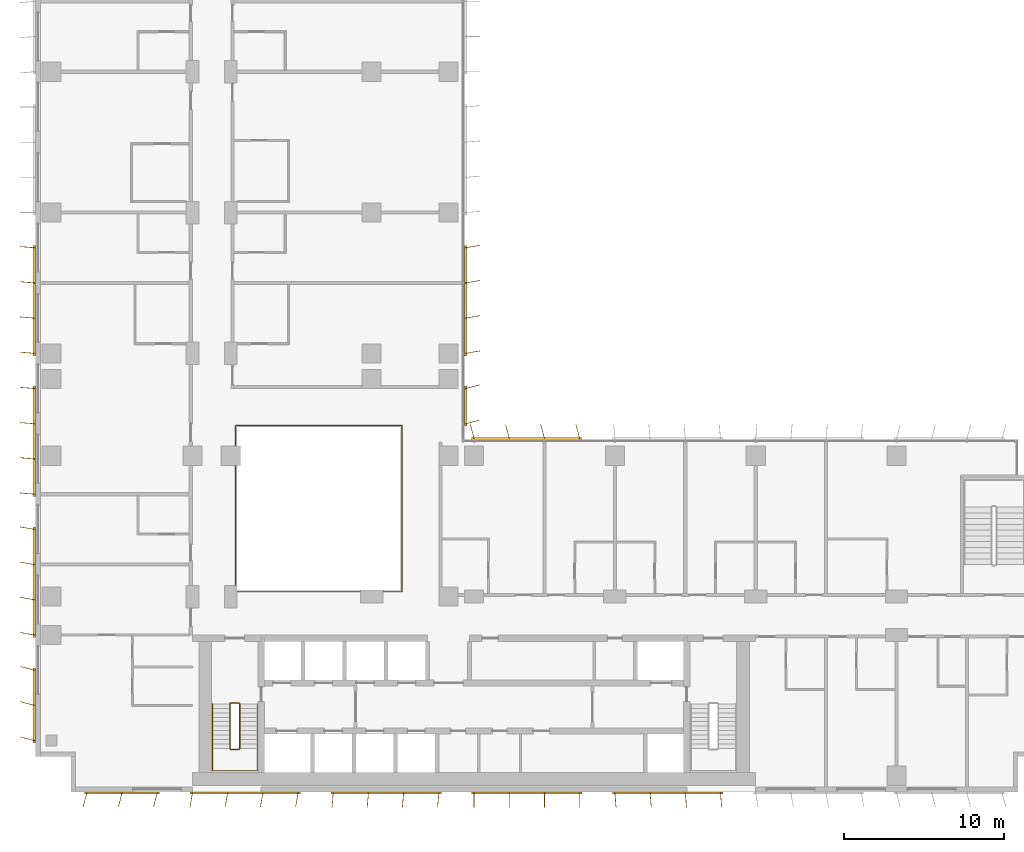
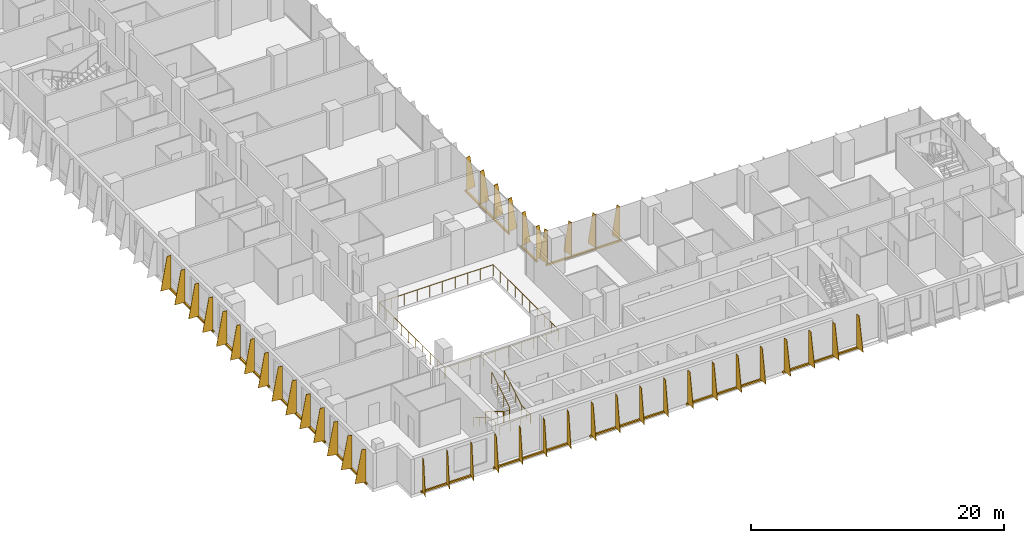
# One storey, part 20 of 23: 12 shading devices, 3 railings.
"""IFC4 building model written with IfcOpenShell, lengths in metres."""

from ifc_helpers import new_model, si_unit, direction, frame, origin, origin_2d, place, context, subcontext, project, spatial, polyline, rectangle, circle, outline, extrude, source, transform, mapped, material, layer, layer_set, type_object, element, save


model = new_model("IFC4")

# Units and contexts
model_context = context("Model", 3, precision=1e-05, world=origin(), true_north=direction((0.0, 1.0)))
body_context = subcontext(model_context, "Body", "Model", "MODEL_VIEW")
ifc_project = project(units=[si_unit("LENGTHUNIT", "METRE"), si_unit("AREAUNIT", "SQUARE_METRE"), si_unit("VOLUMEUNIT", "CUBIC_METRE"), si_unit("PLANEANGLEUNIT", "RADIAN"), si_unit("MASSUNIT", "GRAM", prefix="KILO")], contexts=[model_context])

# Site, building, storey
site_placement = place(None, origin())
site = spatial("IfcSite", under=ifc_project, at=site_placement, CompositionType="ELEMENT")
building_placement = place(site_placement, origin())
building = spatial("IfcBuilding", under=site, at=building_placement, Name="Kemantara Hotel Tower", CompositionType="ELEMENT")
storey_placement = place(building_placement, frame((0.0, 0.0, 118.5)))
storey = spatial("IfcBuildingStorey", under=building, at=storey_placement, Name="L28", CompositionType="ELEMENT", Elevation=118.5)

# Railings
ifc_material_1 = material(Name="Stainless steel and laminated glass balustrade", Category="steel")
railing_type_1 = type_object("IfcRailingType", Name="ATRIUM GUARD 1100", PredefinedType="GUARDRAIL", material=ifc_material_1)
railing_1_placement = place(storey_placement, frame((12.56005859375, 12.5, 0.0)))
element("IfcRailing", 1, at=railing_1_placement, inside=storey, type_object=railing_type_1, Name="ATRIUM GUARD L28", PredefinedType="GUARDRAIL", context=body_context, shape_type="SweptSolid", body=[
    extrude(circle(Radius=0.02490234375, at=origin_2d()), frame((0.0, 0.0, 1.0751953125), z_axis=(1.0, 0.0, 0.0), x_axis=(0.0, 1.0, 0.0)), (0.0, 0.0, 1.0), 10.33984375),
    extrude(circle(Radius=0.02490234375, at=origin_2d()), frame((10.33984375, 0.0, 1.0751953125), z_axis=(0.0, 1.0, 0.0), x_axis=(-1.0, 0.0, 0.0)), (0.0, 0.0, 1.0), 10.39990234375),
    extrude(circle(Radius=0.02490234375, at=origin_2d()), frame((10.33984375, 10.39990234375, 1.0751953125), z_axis=(-1.0, 0.0, 0.0), x_axis=(0.0, -1.0, 0.0)), (0.0, 0.0, 1.0), 10.39990234375),
    extrude(circle(Radius=0.02490234375, at=origin_2d()), frame((-0.06005859375, 10.39990234375, 1.0751953125), z_axis=(0.0, -1.0, 0.0), x_axis=(1.0, 0.0, 0.0)), (0.0, 0.0, 1.0), 10.39990234375),
    extrude(circle(Radius=0.02001953125, at=origin_2d()), origin(), (0.0, 0.0, 1.0), 1.050048828125),
    extrude(circle(Radius=0.02001953125, at=origin_2d()), frame((1.14892578125, 0.0, 0.0)), (0.0, 0.0, 1.0), 1.050048828125),
    extrude(circle(Radius=0.02001953125, at=origin_2d()), frame((2.2978515625, 0.0, 0.0)), (0.0, 0.0, 1.0), 1.050048828125),
    extrude(circle(Radius=0.02001953125, at=origin_2d()), frame((3.446533203125, 0.0, 0.0)), (0.0, 0.0, 1.0), 1.050048828125),
    extrude(circle(Radius=0.02001953125, at=origin_2d()), frame((4.595458984375, 0.0, 0.0)), (0.0, 0.0, 1.0), 1.050048828125),
    extrude(circle(Radius=0.02001953125, at=origin_2d()), frame((5.744384765625, 0.0, 0.0)), (0.0, 0.0, 1.0), 1.050048828125),
    extrude(circle(Radius=0.02001953125, at=origin_2d()), frame((6.893310546875, 0.0, 0.0)), (0.0, 0.0, 1.0), 1.050048828125),
    extrude(circle(Radius=0.02001953125, at=origin_2d()), frame((8.0419921875, 0.0, 0.0)), (0.0, 0.0, 1.0), 1.050048828125),
    extrude(circle(Radius=0.02001953125, at=origin_2d()), frame((9.19091796875, 0.0, 0.0)), (0.0, 0.0, 1.0), 1.050048828125),
    extrude(circle(Radius=0.02001953125, at=origin_2d()), frame((10.33984375, 0.0, 0.0)), (0.0, 0.0, 1.0), 1.050048828125),
    extrude(circle(Radius=0.02001953125, at=origin_2d()), frame((10.33984375, 1.155517578125, 0.0)), (0.0, 0.0, 1.0), 1.050048828125),
    extrude(circle(Radius=0.02001953125, at=origin_2d()), frame((10.33984375, 2.31103515625, 0.0)), (0.0, 0.0, 1.0), 1.050048828125),
    extrude(circle(Radius=0.02001953125, at=origin_2d()), frame((10.33984375, 3.466552734375, 0.0)), (0.0, 0.0, 1.0), 1.050048828125),
    extrude(circle(Radius=0.02001953125, at=origin_2d()), frame((10.33984375, 4.6220703125, 0.0)), (0.0, 0.0, 1.0), 1.050048828125),
    extrude(circle(Radius=0.02001953125, at=origin_2d()), frame((10.33984375, 5.77783203125, 0.0)), (0.0, 0.0, 1.0), 1.050048828125),
    extrude(circle(Radius=0.02001953125, at=origin_2d()), frame((10.33984375, 6.933349609375, 0.0)), (0.0, 0.0, 1.0), 1.050048828125),
    extrude(circle(Radius=0.02001953125, at=origin_2d()), frame((10.33984375, 8.0888671875, 0.0)), (0.0, 0.0, 1.0), 1.050048828125),
    extrude(circle(Radius=0.02001953125, at=origin_2d()), frame((10.33984375, 9.244384765625, 0.0)), (0.0, 0.0, 1.0), 1.050048828125),
    extrude(circle(Radius=0.02001953125, at=origin_2d()), frame((10.33984375, 10.39990234375, 0.0)), (0.0, 0.0, 1.0), 1.050048828125),
    extrude(circle(Radius=0.02001953125, at=origin_2d()), frame((9.184326171875, 10.39990234375, 0.0)), (0.0, 0.0, 1.0), 1.050048828125),
    extrude(circle(Radius=0.02001953125, at=origin_2d()), frame((8.02880859375, 10.39990234375, 0.0)), (0.0, 0.0, 1.0), 1.050048828125),
    extrude(circle(Radius=0.02001953125, at=origin_2d()), frame((6.873291015625, 10.39990234375, 0.0)), (0.0, 0.0, 1.0), 1.050048828125),
    extrude(circle(Radius=0.02001953125, at=origin_2d()), frame((5.7177734375, 10.39990234375, 0.0)), (0.0, 0.0, 1.0), 1.050048828125),
    extrude(circle(Radius=0.02001953125, at=origin_2d()), frame((4.56201171875, 10.39990234375, 0.0)), (0.0, 0.0, 1.0), 1.050048828125),
    extrude(circle(Radius=0.02001953125, at=origin_2d()), frame((3.406494140625, 10.39990234375, 0.0)), (0.0, 0.0, 1.0), 1.050048828125),
    extrude(circle(Radius=0.02001953125, at=origin_2d()), frame((2.2509765625, 10.39990234375, 0.0)), (0.0, 0.0, 1.0), 1.050048828125),
    extrude(circle(Radius=0.02001953125, at=origin_2d()), frame((1.095458984375, 10.39990234375, 0.0)), (0.0, 0.0, 1.0), 1.050048828125),
    extrude(circle(Radius=0.02001953125, at=origin_2d()), frame((-0.06005859375, 10.39990234375, 0.0)), (0.0, 0.0, 1.0), 1.050048828125),
    extrude(circle(Radius=0.02001953125, at=origin_2d()), frame((-0.06005859375, 9.244384765625, 0.0)), (0.0, 0.0, 1.0), 1.050048828125),
    extrude(circle(Radius=0.02001953125, at=origin_2d()), frame((-0.06005859375, 8.0888671875, 0.0)), (0.0, 0.0, 1.0), 1.050048828125),
    extrude(circle(Radius=0.02001953125, at=origin_2d()), frame((-0.06005859375, 6.933349609375, 0.0)), (0.0, 0.0, 1.0), 1.050048828125),
    extrude(circle(Radius=0.02001953125, at=origin_2d()), frame((-0.06005859375, 5.77783203125, 0.0)), (0.0, 0.0, 1.0), 1.050048828125),
    extrude(circle(Radius=0.02001953125, at=origin_2d()), frame((-0.06005859375, 4.6220703125, 0.0)), (0.0, 0.0, 1.0), 1.050048828125),
    extrude(circle(Radius=0.02001953125, at=origin_2d()), frame((-0.06005859375, 3.466552734375, 0.0)), (0.0, 0.0, 1.0), 1.050048828125),
    extrude(circle(Radius=0.02001953125, at=origin_2d()), frame((-0.06005859375, 2.31103515625, 0.0)), (0.0, 0.0, 1.0), 1.050048828125),
    extrude(circle(Radius=0.02001953125, at=origin_2d()), frame((-0.06005859375, 1.155517578125, 0.0)), (0.0, 0.0, 1.0), 1.050048828125),
    extrude(circle(Radius=0.02001953125, at=origin_2d()), frame((-0.06005859375, 0.0, 0.0)), (0.0, 0.0, 1.0), 1.050048828125),
])
ifc_material_2 = material(Name="Stainless steel balustrade", Category="steel")
railing_type_2 = type_object("IfcRailingType", Name="Stair guard 1100 mm", PredefinedType="GUARDRAIL", material=ifc_material_2)
railing_2_placement = place(storey_placement, frame((12.75, 5.5, 3.699951171875)))
element("IfcRailing", 2, at=railing_2_placement, inside=storey, type_object=railing_type_2, Name="L28 ST1 stair guard 1", PredefinedType="GUARDRAIL", context=body_context, shape_type="SweptSolid", body=[
    extrude(circle(Radius=0.02392578125, at=origin_2d()), frame((0.0, 0.0, 1.076171875), z_axis=(0.0, -0.857242210791, -0.514913383045), x_axis=(1.0, 0.0, 0.0)), (0.0, 0.0, 1.0), 3.266357421875),
    extrude(circle(Radius=0.02392578125, at=origin_2d()), frame((0.0, -2.800048828125, -0.60595703125), z_axis=(-0.274582412415, -0.274582412415, -0.921525364591), x_axis=(0.707106781187, -0.707106781187, 0.0)), (0.0, 0.0, 1.0), 0.182373046875),
    extrude(circle(Radius=0.02392578125, at=origin_2d()), frame((-0.050048828125, -2.85009765625, -0.77392578125), z_axis=(-1.0, 0.0, 0.0), x_axis=(0.0, -1.0, 0.0)), (0.0, 0.0, 1.0), 0.5),
    extrude(circle(Radius=0.02392578125, at=origin_2d()), frame((-0.550048828125, -2.85009765625, -0.77392578125), z_axis=(-0.707106781187, 0.707106781187, 0.0), x_axis=(-0.707106781187, -0.707106781187, 0.0)), (0.0, 0.0, 1.0), 0.07080078125),
    extrude(circle(Radius=0.02392578125, at=origin_2d()), frame((-0.60009765625, -2.800048828125, -0.77392578125), z_axis=(0.0, 0.857242210791, -0.514913383045), x_axis=(-1.0, 0.0, 0.0)), (0.0, 0.0, 1.0), 3.266357421875),
    extrude(circle(Radius=0.02392578125, at=origin_2d()), frame((-0.60009765625, 0.0, -2.45556640625), z_axis=(0.274243871929, 0.274243871929, -0.92172696468), x_axis=(-0.707106781187, 0.707106781187, 0.0)), (0.0, 0.0, 1.0), 0.1826171875),
    extrude(circle(Radius=0.02392578125, at=origin_2d()), frame((-0.550048828125, 0.050048828125, -2.6240234375), z_axis=(1.0, 0.0, 0.0), x_axis=(0.0, 1.0, 0.0)), (0.0, 0.0, 1.0), 0.5),
    extrude(circle(Radius=0.02099609375, at=origin_2d()), origin(), (0.0, 0.0, 1.0), 1.052001953125),
    extrude(circle(Radius=0.02099609375, at=origin_2d()), frame((0.0, -0.933349609375, -0.560546875)), (0.0, 0.0, 1.0), 1.052001953125),
    extrude(circle(Radius=0.02099609375, at=origin_2d()), frame((0.0, -1.86669921875, -1.121337890625)), (0.0, 0.0, 1.0), 1.052001953125),
    extrude(circle(Radius=0.02099609375, at=origin_2d()), frame((0.0, -2.800048828125, -1.681884765625)), (0.0, 0.0, 1.0), 1.052001953125),
    extrude(circle(Radius=0.02099609375, at=origin_2d()), frame((-0.050048828125, -2.85009765625, -1.849853515625)), (0.0, 0.0, 1.0), 1.052001953125),
    extrude(circle(Radius=0.02099609375, at=origin_2d()), frame((-0.550048828125, -2.85009765625, -1.849853515625)), (0.0, 0.0, 1.0), 1.052001953125),
    extrude(circle(Radius=0.02099609375, at=origin_2d()), frame((-0.60009765625, -2.800048828125, -1.849853515625)), (0.0, 0.0, 1.0), 1.052001953125),
    extrude(circle(Radius=0.02099609375, at=origin_2d()), frame((-0.60009765625, -1.86669921875, -2.410400390625)), (0.0, 0.0, 1.0), 1.052001953125),
    extrude(circle(Radius=0.02099609375, at=origin_2d()), frame((-0.60009765625, -0.933349609375, -2.97119140625)), (0.0, 0.0, 1.0), 1.052001953125),
    extrude(circle(Radius=0.02099609375, at=origin_2d()), frame((-0.60009765625, 0.0, -3.53173828125)), (0.0, 0.0, 1.0), 1.052001953125),
    extrude(circle(Radius=0.02099609375, at=origin_2d()), frame((-0.550048828125, 0.050048828125, -3.699951171875)), (0.0, 0.0, 1.0), 1.052001953125),
    extrude(circle(Radius=0.02099609375, at=origin_2d()), frame((-0.050048828125, 0.050048828125, -3.699951171875)), (0.0, 0.0, 1.0), 1.052001953125),
])
railing_type_3 = type_object("IfcRailingType", Name="Stair handrail 900 mm", PredefinedType="HANDRAIL", material=ifc_material_2)
railing_3_placement = place(storey_placement, frame((11.050048828125, 5.5, 0.168212890625)))
element("IfcRailing", 3, at=railing_3_placement, inside=storey, type_object=railing_type_3, Name="L28 ST1 stair handrail 1", PredefinedType="HANDRAIL", context=body_context, shape_type="SweptSolid", body=[
    extrude(circle(Radius=0.02392578125, at=origin_2d()), frame((0.0, 0.0, 0.8759765625), z_axis=(0.0, -0.857242210791, 0.514913383045), x_axis=(1.0, 0.0, 0.0)), (0.0, 0.0, 1.0), 3.266357421875),
    extrude(circle(Radius=0.02392578125, at=origin_2d()), frame((0.0, -2.800048828125, 2.5576171875), z_axis=(0.0, -1.0, 0.0), x_axis=(1.0, 0.0, 0.0)), (0.0, 0.0, 1.0), 1.3798828125),
    extrude(circle(Radius=0.02392578125, at=origin_2d()), frame((0.0, -4.179931640625, 2.5576171875), z_axis=(0.998205573864, 0.0, 0.059880149518), x_axis=(0.0, 1.0, 0.0)), (0.0, 0.0, 1.0), 2.80517578125),
    extrude(circle(Radius=0.02392578125, at=origin_2d()), frame((2.800048828125, -4.179931640625, 2.7255859375), z_axis=(0.0, 1.0, 0.0), x_axis=(-1.0, 0.0, 0.0)), (0.0, 0.0, 1.0), 1.3798828125),
    extrude(circle(Radius=0.02392578125, at=origin_2d()), frame((2.800048828125, -2.800048828125, 2.7255859375), z_axis=(0.0, 0.857242210791, 0.514913383045), x_axis=(-1.0, 0.0, 0.0)), (0.0, 0.0, 1.0), 3.266357421875),
    extrude(circle(Radius=0.02099609375, at=origin_2d()), origin(), (0.0, 0.0, 1.0), 0.851806640625),
    extrude(circle(Radius=0.02099609375, at=origin_2d()), frame((0.0, -0.933349609375, 0.560546875)), (0.0, 0.0, 1.0), 0.851806640625),
    extrude(circle(Radius=0.02099609375, at=origin_2d()), frame((0.0, -1.86669921875, 1.121337890625)), (0.0, 0.0, 1.0), 0.851806640625),
    extrude(circle(Radius=0.02099609375, at=origin_2d()), frame((0.0, -2.800048828125, 1.681884765625)), (0.0, 0.0, 1.0), 0.851806640625),
    extrude(circle(Radius=0.02099609375, at=origin_2d()), frame((0.0, -3.489990234375, 1.681884765625)), (0.0, 0.0, 1.0), 0.851806640625),
    extrude(circle(Radius=0.02099609375, at=origin_2d()), frame((0.0, -4.179931640625, 1.681884765625)), (0.0, 0.0, 1.0), 0.851806640625),
    extrude(circle(Radius=0.02099609375, at=origin_2d()), frame((0.933349609375, -4.179931640625, 1.73779296875)), (0.0, 0.0, 1.0), 0.851806640625),
    extrude(circle(Radius=0.02099609375, at=origin_2d()), frame((1.86669921875, -4.179931640625, 1.7939453125)), (0.0, 0.0, 1.0), 0.851806640625),
    extrude(circle(Radius=0.02099609375, at=origin_2d()), frame((2.800048828125, -4.179931640625, 1.849853515625)), (0.0, 0.0, 1.0), 0.851806640625),
    extrude(circle(Radius=0.02099609375, at=origin_2d()), frame((2.800048828125, -3.489990234375, 1.849853515625)), (0.0, 0.0, 1.0), 0.851806640625),
    extrude(circle(Radius=0.02099609375, at=origin_2d()), frame((2.800048828125, -2.800048828125, 1.849853515625)), (0.0, 0.0, 1.0), 0.851806640625),
    extrude(circle(Radius=0.02099609375, at=origin_2d()), frame((2.800048828125, -1.86669921875, 2.410400390625)), (0.0, 0.0, 1.0), 0.851806640625),
    extrude(circle(Radius=0.02099609375, at=origin_2d()), frame((2.800048828125, -0.933349609375, 2.97119140625)), (0.0, 0.0, 1.0), 0.851806640625),
    extrude(circle(Radius=0.02099609375, at=origin_2d()), frame((2.800048828125, 0.0, 3.53173828125)), (0.0, 0.0, 1.0), 0.851806640625),
])

# Shading devices
ifc_material_3 = material(Name="Perforated aluminium plate 4 mm bronze anodised", Category="aluminium")
ifc_layer_1 = layer(ifc_material_3, 0.0400390625)
ifc_layer_set_1 = layer_set([ifc_layer_1], Name="Perforated aluminium plate 4 mm bronze anodised")
shading_device_type_1 = type_object("IfcShadingDeviceType", Name="SCREEN FIN CASSETTE, 3 BLADES AT -15.0 DEG, 3200 HIGH", PredefinedType="USERDEFINED", material=ifc_layer_set_1)
shared_shape_1 = source(origin(), body_context, "Body", "SweptSolid", [
    extrude(rectangle(XDim=4.699951171875, YDim=0.14990234375, at=origin_2d()), frame((2.199951171875, -0.074951171875, -0.14990234375), z_axis=(0.0, 0.0, 1.0), x_axis=(1.0, 0.0, 0.0)), (0.0, 0.0, 1.0), 0.14990234375),
    extrude(outline(polyline([(0.0, 0.0), (0.89990234375, 0.0), (0.35009765625, 3.199951171875), (0.0, 3.199951171875), (0.0, 0.0)])), frame((0.019287109375, -0.080078125, 0.0), z_axis=(-0.966437683387, 0.256901156343, 0.0), x_axis=(-0.256901156343, -0.966437683387, 0.0)), (0.0, 0.0, 1.0), 0.039794921875),
    extrude(outline(polyline([(0.0, 0.0), (0.89990234375, 0.0), (0.35009765625, 3.199951171875), (0.0, 3.199951171875), (0.0, 0.0)])), frame((2.21923828125, -0.080078125, 0.0), z_axis=(-0.966437683387, 0.256901156343, 0.0), x_axis=(-0.256901156343, -0.966437683387, 0.0)), (0.0, 0.0, 1.0), 0.039794921875),
    extrude(outline(polyline([(0.0, 0.0), (0.89990234375, 0.0), (0.35009765625, 3.199951171875), (0.0, 3.199951171875), (0.0, 0.0)])), frame((4.41943359375, -0.080078125, 0.0), z_axis=(-0.966837822169, 0.255391122837, 0.0), x_axis=(-0.255391122837, -0.966837822169, 0.0)), (0.0, 0.0, 1.0), 0.0400390625),
])
for number, where, z_axis, x_axis, name in (
    (4, (0.0, 7.60009765625, 0.10009765625), (0.0, 0.0, 1.0), (0.0, -1.0, 0.0), "SCREEN FIN CASSETTE L28 T2-R04-9"),
    (5, (3.199951171875, 0.0, 0.10009765625), (0.0, 0.0, 1.0), (1.0, 0.0, 0.0), "SCREEN FIN CASSETTE L28 T2-R07-1"),
):
    element("IfcShadingDevice", number, at=place(storey_placement, frame(where, z_axis=z_axis, x_axis=x_axis)), inside=storey, type_object=shading_device_type_1, Name=name, ObjectType="SCREEN FIN", PredefinedType="USERDEFINED", context=body_context, shape_type="MappedRepresentation", body=[
        mapped(shared_shape_1, transform((0.0, 0.0, 0.0))),
    ])
ifc_layer_2 = layer(ifc_material_3, 0.0400390625)
ifc_layer_set_2 = layer_set([ifc_layer_2], Name="Perforated aluminium plate 4 mm bronze anodised")
shading_device_type_2 = type_object("IfcShadingDeviceType", Name="SCREEN FIN CASSETTE, 4 BLADES AT -10.0 DEG, 3200 HIGH", PredefinedType="USERDEFINED", material=ifc_layer_set_2)
shared_shape_2 = source(origin(), body_context, "Body", "SweptSolid", [
    extrude(rectangle(XDim=6.89990234375, YDim=0.14990234375, at=origin_2d()), frame((3.300048828125, -0.074951171875, -0.14990234375), z_axis=(0.0, 0.0, 1.0), x_axis=(1.0, 0.0, 0.0)), (0.0, 0.0, 1.0), 0.14990234375),
    extrude(outline(polyline([(0.0, 0.0), (0.89990234375, 0.0), (0.35009765625, 3.199951171875), (0.0, 3.199951171875), (0.0, 0.0)])), frame((0.019775390625, -0.078369140625, 0.0), z_axis=(-0.985389793052, 0.170314285219, 0.0), x_axis=(-0.170314285219, -0.985389793052, 0.0)), (0.0, 0.0, 1.0), 0.0400390625),
    extrude(outline(polyline([(0.0, 0.0), (0.89990234375, 0.0), (0.35009765625, 3.199951171875), (0.0, 3.199951171875), (0.0, 0.0)])), frame((2.2197265625, -0.078369140625, 0.0), z_axis=(-0.98521175482, 0.171341174751, 0.0), x_axis=(-0.171341174751, -0.98521175482, 0.0)), (0.0, 0.0, 1.0), 0.039794921875),
    extrude(outline(polyline([(0.0, 0.0), (0.89990234375, 0.0), (0.35009765625, 3.199951171875), (0.0, 3.199951171875), (0.0, 0.0)])), frame((4.419677734375, -0.078369140625, 0.0), z_axis=(-0.98521175482, 0.171341174751, 0.0), x_axis=(-0.171341174751, -0.98521175482, 0.0)), (0.0, 0.0, 1.0), 0.039794921875),
    extrude(outline(polyline([(0.0, 0.0), (0.89990234375, 0.0), (0.35009765625, 3.199951171875), (0.0, 3.199951171875), (0.0, 0.0)])), frame((6.61962890625, -0.078369140625, 0.0), z_axis=(-0.98521175482, 0.171341174751, 0.0), x_axis=(-0.171341174751, -0.98521175482, 0.0)), (0.0, 0.0, 1.0), 0.039794921875),
])
for number, where, z_axis, x_axis, name in (
    (6, (0.0, 16.39990234375, 0.10009765625), (0.0, 0.0, 1.0), (0.0, -1.0, 0.0), "SCREEN FIN CASSETTE L28 T2-R04-8"),
    (7, (9.800048828125, 0.0, 0.10009765625), (0.0, 0.0, 1.0), (1.0, 0.0, 0.0), "SCREEN FIN CASSETTE L28 T2-R07-2"),
):
    element("IfcShadingDevice", number, at=place(storey_placement, frame(where, z_axis=z_axis, x_axis=x_axis)), inside=storey, type_object=shading_device_type_2, Name=name, ObjectType="SCREEN FIN", PredefinedType="USERDEFINED", context=body_context, shape_type="MappedRepresentation", body=[
        mapped(shared_shape_2, transform((0.0, 0.0, 0.0))),
    ])
ifc_layer_3 = layer(ifc_material_3, 0.0400390625)
ifc_layer_set_3 = layer_set([ifc_layer_3], Name="Perforated aluminium plate 4 mm bronze anodised")
shading_device_type_3 = type_object("IfcShadingDeviceType", Name="SCREEN FIN CASSETTE, 4 BLADES AT -5.0 DEG, 3200 HIGH", PredefinedType="USERDEFINED", material=ifc_layer_set_3)
shared_shape_3 = source(origin(), body_context, "Body", "SweptSolid", [
    extrude(rectangle(XDim=6.89990234375, YDim=0.14990234375, at=origin_2d()), frame((3.300048828125, -0.074951171875, -0.14990234375), z_axis=(0.0, 0.0, 1.0), x_axis=(1.0, 0.0, 0.0)), (0.0, 0.0, 1.0), 0.14990234375),
    extrude(outline(polyline([(0.0, 0.0), (0.89990234375, 0.0), (0.35009765625, 3.199951171875), (0.0, 3.199951171875), (0.0, 0.0)])), frame((0.02001953125, -0.07666015625, 0.0), z_axis=(-0.996376129781, 0.085056498884, 0.0), x_axis=(-0.085056498884, -0.996376129781, 0.0)), (0.0, 0.0, 1.0), 0.040283203125),
    extrude(outline(polyline([(0.0, 0.0), (0.89990234375, 0.0), (0.35009765625, 3.199951171875), (0.0, 3.199951171875), (0.0, 0.0)])), frame((2.219970703125, -0.07666015625, 0.0), z_axis=(-0.996331773833, 0.085574508182, 0.0), x_axis=(-0.085574508182, -0.996331773833, 0.0)), (0.0, 0.0, 1.0), 0.0400390625),
    extrude(outline(polyline([(0.0, 0.0), (0.89990234375, 0.0), (0.35009765625, 3.199951171875), (0.0, 3.199951171875), (0.0, 0.0)])), frame((4.419921875, -0.07666015625, 0.0), z_axis=(-0.996331773833, 0.085574508182, 0.0), x_axis=(-0.085574508182, -0.996331773833, 0.0)), (0.0, 0.0, 1.0), 0.0400390625),
    extrude(outline(polyline([(0.0, 0.0), (0.89990234375, 0.0), (0.35009765625, 3.199951171875), (0.0, 3.199951171875), (0.0, 0.0)])), frame((6.619873046875, -0.07666015625, 0.0), z_axis=(-0.996331773833, 0.085574508182, 0.0), x_axis=(-0.085574508182, -0.996331773833, 0.0)), (0.0, 0.0, 1.0), 0.0400390625),
])
for number, where, z_axis, x_axis, name in (
    (8, (0.0, 34.0, 0.10009765625), (0.0, 0.0, 1.0), (0.0, -1.0, 0.0), "SCREEN FIN CASSETTE L28 T2-R04-6"),
    (9, (0.0, 25.199951171875, 0.10009765625), (0.0, 0.0, 1.0), (0.0, -1.0, 0.0), "SCREEN FIN CASSETTE L28 T2-R04-7"),
    (10, (18.60009765625, 0.0, 0.10009765625), (0.0, 0.0, 1.0), (1.0, 0.0, 0.0), "SCREEN FIN CASSETTE L28 T2-R07-3"),
):
    element("IfcShadingDevice", number, at=place(storey_placement, frame(where, z_axis=z_axis, x_axis=x_axis)), inside=storey, type_object=shading_device_type_3, Name=name, ObjectType="SCREEN FIN", PredefinedType="USERDEFINED", context=body_context, shape_type="MappedRepresentation", body=[
        mapped(shared_shape_3, transform((0.0, 0.0, 0.0))),
    ])
ifc_layer_4 = layer(ifc_material_3, 0.0400390625)
ifc_layer_set_4 = layer_set([ifc_layer_4], Name="Perforated aluminium plate 4 mm bronze anodised")
shading_device_type_4 = type_object("IfcShadingDeviceType", Name="SCREEN FIN CASSETTE, 4 BLADES AT +0.0 DEG, 3200 HIGH", PredefinedType="USERDEFINED", material=ifc_layer_set_4)
shared_shape_4 = source(origin(), body_context, "Body", "SweptSolid", [
    extrude(rectangle(XDim=6.89990234375, YDim=0.14990234375, at=origin_2d()), frame((3.300048828125, -0.074951171875, -0.14990234375), z_axis=(0.0, 0.0, 1.0), x_axis=(1.0, 0.0, 0.0)), (0.0, 0.0, 1.0), 0.14990234375),
    extrude(outline(polyline([(0.0, 0.0), (0.89990234375, 0.0), (0.35009765625, 3.199951171875), (0.0, 3.199951171875), (0.0, 0.0)])), frame((0.02001953125, -0.074951171875, 0.0), z_axis=(-1.0, 0.0, 0.0), x_axis=(0.0, -1.0, 0.0)), (0.0, 0.0, 1.0), 0.0400390625),
    extrude(outline(polyline([(0.0, 0.0), (0.89990234375, 0.0), (0.35009765625, 3.199951171875), (0.0, 3.199951171875), (0.0, 0.0)])), frame((2.219970703125, -0.074951171875, 0.0), z_axis=(-1.0, 0.0, 0.0), x_axis=(0.0, -1.0, 0.0)), (0.0, 0.0, 1.0), 0.0400390625),
    extrude(outline(polyline([(0.0, 0.0), (0.89990234375, 0.0), (0.35009765625, 3.199951171875), (0.0, 3.199951171875), (0.0, 0.0)])), frame((4.419921875, -0.074951171875, 0.0), z_axis=(-1.0, 0.0, 0.0), x_axis=(0.0, -1.0, 0.0)), (0.0, 0.0, 1.0), 0.0400390625),
    extrude(outline(polyline([(0.0, 0.0), (0.89990234375, 0.0), (0.35009765625, 3.199951171875), (0.0, 3.199951171875), (0.0, 0.0)])), frame((6.6201171875, -0.074951171875, 0.0), z_axis=(-1.0, 0.0, 0.0), x_axis=(0.0, -1.0, 0.0)), (0.0, 0.0, 1.0), 0.0400390625),
])
shading_device_1_placement = place(storey_placement, frame((27.39990234375, 0.0, 0.10009765625), z_axis=(0.0, 0.0, 1.0), x_axis=(1.0, 0.0, 0.0)))
element("IfcShadingDevice", 11, at=shading_device_1_placement, inside=storey, type_object=shading_device_type_4, Name="SCREEN FIN CASSETTE L28 T2-R07-4", ObjectType="SCREEN FIN", PredefinedType="USERDEFINED", context=body_context, shape_type="MappedRepresentation", body=[
    mapped(shared_shape_4, transform((0.0, 0.0, 0.0))),
])
ifc_layer_5 = layer(ifc_material_3, 0.0400390625)
ifc_layer_set_5 = layer_set([ifc_layer_5], Name="Perforated aluminium plate 4 mm bronze anodised")
shading_device_type_5 = type_object("IfcShadingDeviceType", Name="SCREEN FIN CASSETTE, 4 BLADES AT +5.0 DEG, 3200 HIGH", PredefinedType="USERDEFINED", material=ifc_layer_set_5)
shared_shape_5 = source(origin(), body_context, "Body", "SweptSolid", [
    extrude(rectangle(XDim=6.89990234375, YDim=0.14990234375, at=origin_2d()), frame((3.300048828125, -0.074951171875, -0.14990234375), z_axis=(0.0, 0.0, 1.0), x_axis=(1.0, 0.0, 0.0)), (0.0, 0.0, 1.0), 0.14990234375),
    extrude(outline(polyline([(0.0, 0.0), (0.89990234375, 0.0), (0.35009765625, 3.199951171875), (0.0, 3.199951171875), (0.0, 0.0)])), frame((0.02001953125, -0.0732421875, 0.0), z_axis=(-0.996376129781, -0.085056498884, 0.0), x_axis=(0.085056498884, -0.996376129781, 0.0)), (0.0, 0.0, 1.0), 0.040283203125),
    extrude(outline(polyline([(0.0, 0.0), (0.89990234375, 0.0), (0.35009765625, 3.199951171875), (0.0, 3.199951171875), (0.0, 0.0)])), frame((2.219970703125, -0.0732421875, 0.0), z_axis=(-0.996331773833, -0.085574508182, 0.0), x_axis=(0.085574508182, -0.996331773833, 0.0)), (0.0, 0.0, 1.0), 0.0400390625),
    extrude(outline(polyline([(0.0, 0.0), (0.89990234375, 0.0), (0.35009765625, 3.199951171875), (0.0, 3.199951171875), (0.0, 0.0)])), frame((4.419921875, -0.0732421875, 0.0), z_axis=(-0.996331773833, -0.085574508182, 0.0), x_axis=(0.085574508182, -0.996331773833, 0.0)), (0.0, 0.0, 1.0), 0.0400390625),
    extrude(outline(polyline([(0.0, 0.0), (0.89990234375, 0.0), (0.35009765625, 3.199951171875), (0.0, 3.199951171875), (0.0, 0.0)])), frame((6.619873046875, -0.0732421875, 0.0), z_axis=(-0.996331773833, -0.085574508182, 0.0), x_axis=(0.085574508182, -0.996331773833, 0.0)), (0.0, 0.0, 1.0), 0.0400390625),
])
shading_device_2_placement = place(storey_placement, frame((36.199951171875, 0.0, 0.10009765625), z_axis=(0.0, 0.0, 1.0), x_axis=(1.0, 0.0, 0.0)))
element("IfcShadingDevice", 12, at=shading_device_2_placement, inside=storey, type_object=shading_device_type_5, Name="SCREEN FIN CASSETTE L28 T2-R07-5", ObjectType="SCREEN FIN", PredefinedType="USERDEFINED", context=body_context, shape_type="MappedRepresentation", body=[
    mapped(shared_shape_5, transform((0.0, 0.0, 0.0))),
])
ifc_layer_6 = layer(ifc_material_3, 0.0400390625)
ifc_layer_set_6 = layer_set([ifc_layer_6], Name="Perforated aluminium plate 4 mm bronze anodised")
shading_device_type_6 = type_object("IfcShadingDeviceType", Name="SCREEN FIN CASSETTE, 4 BLADES AT +10.0 DEG, 3200 HIGH", PredefinedType="USERDEFINED", material=ifc_layer_set_6)
shared_shape_6 = source(origin(), body_context, "Body", "SweptSolid", [
    extrude(rectangle(XDim=6.89990234375, YDim=0.14990234375, at=origin_2d()), frame((3.300048828125, -0.074951171875, -0.14990234375), z_axis=(0.0, 0.0, 1.0), x_axis=(1.0, 0.0, 0.0)), (0.0, 0.0, 1.0), 0.14990234375),
    extrude(outline(polyline([(0.0, 0.0), (0.89990234375, 0.0), (0.35009765625, 3.199951171875), (0.0, 3.199951171875), (0.0, 0.0)])), frame((0.019775390625, -0.071533203125, 0.0), z_axis=(-0.985389793052, -0.170314285219, 0.0), x_axis=(0.170314285219, -0.985389793052, 0.0)), (0.0, 0.0, 1.0), 0.0400390625),
    extrude(outline(polyline([(0.0, 0.0), (0.89990234375, 0.0), (0.35009765625, 3.199951171875), (0.0, 3.199951171875), (0.0, 0.0)])), frame((2.2197265625, -0.071533203125, 0.0), z_axis=(-0.98521175482, -0.171341174751, 0.0), x_axis=(0.171341174751, -0.98521175482, 0.0)), (0.0, 0.0, 1.0), 0.039794921875),
    extrude(outline(polyline([(0.0, 0.0), (0.89990234375, 0.0), (0.35009765625, 3.199951171875), (0.0, 3.199951171875), (0.0, 0.0)])), frame((4.419677734375, -0.071533203125, 0.0), z_axis=(-0.98521175482, -0.171341174751, 0.0), x_axis=(0.171341174751, -0.98521175482, 0.0)), (0.0, 0.0, 1.0), 0.039794921875),
    extrude(outline(polyline([(0.0, 0.0), (0.89990234375, 0.0), (0.35009765625, 3.199951171875), (0.0, 3.199951171875), (0.0, 0.0)])), frame((6.61962890625, -0.071533203125, 0.0), z_axis=(-0.98521175482, -0.171341174751, 0.0), x_axis=(0.171341174751, -0.98521175482, 0.0)), (0.0, 0.0, 1.0), 0.039794921875),
])
shading_device_3_placement = place(storey_placement, frame((26.800048828125, 27.39990234375, 0.10009765625), z_axis=(0.0, 0.0, 1.0), x_axis=(0.0, 1.0, 0.0)))
element("IfcShadingDevice", 13, at=shading_device_3_placement, inside=storey, type_object=shading_device_type_6, Name="SCREEN FIN CASSETTE L28 T2-R14-2", ObjectType="SCREEN FIN", PredefinedType="USERDEFINED", context=body_context, shape_type="MappedRepresentation", body=[
    mapped(shared_shape_6, transform((0.0, 0.0, 0.0))),
])
ifc_layer_7 = layer(ifc_material_3, 0.0400390625)
ifc_layer_set_7 = layer_set([ifc_layer_7], Name="Perforated aluminium plate 4 mm bronze anodised")
shading_device_type_7 = type_object("IfcShadingDeviceType", Name="SCREEN FIN CASSETTE, 4 BLADES AT +15.0 DEG, 3200 HIGH", PredefinedType="USERDEFINED", material=ifc_layer_set_7)
shared_shape_7 = source(origin(), body_context, "Body", "SweptSolid", [
    extrude(rectangle(XDim=6.89990234375, YDim=0.14990234375, at=origin_2d()), frame((3.300048828125, -0.074951171875, -0.14990234375), z_axis=(0.0, 0.0, 1.0), x_axis=(1.0, 0.0, 0.0)), (0.0, 0.0, 1.0), 0.14990234375),
    extrude(outline(polyline([(0.0, 0.0), (0.89990234375, 0.0), (0.35009765625, 3.199951171875), (0.0, 3.199951171875), (0.0, 0.0)])), frame((0.019287109375, -0.06982421875, 0.0), z_axis=(-0.966437683387, -0.256901156343, 0.0), x_axis=(0.256901156343, -0.966437683387, 0.0)), (0.0, 0.0, 1.0), 0.039794921875),
    extrude(outline(polyline([(0.0, 0.0), (0.89990234375, 0.0), (0.35009765625, 3.199951171875), (0.0, 3.199951171875), (0.0, 0.0)])), frame((2.21923828125, -0.06982421875, 0.0), z_axis=(-0.966437683387, -0.256901156343, 0.0), x_axis=(0.256901156343, -0.966437683387, 0.0)), (0.0, 0.0, 1.0), 0.039794921875),
    extrude(outline(polyline([(0.0, 0.0), (0.89990234375, 0.0), (0.35009765625, 3.199951171875), (0.0, 3.199951171875), (0.0, 0.0)])), frame((4.41943359375, -0.06982421875, 0.0), z_axis=(-0.966837822169, -0.255391122837, 0.0), x_axis=(0.255391122837, -0.966837822169, 0.0)), (0.0, 0.0, 1.0), 0.0400390625),
    extrude(outline(polyline([(0.0, 0.0), (0.89990234375, 0.0), (0.35009765625, 3.199951171875), (0.0, 3.199951171875), (0.0, 0.0)])), frame((6.619384765625, -0.06982421875, 0.0), z_axis=(-0.966837822169, -0.255391122837, 0.0), x_axis=(0.255391122837, -0.966837822169, 0.0)), (0.0, 0.0, 1.0), 0.0400390625),
])
shading_device_4_placement = place(storey_placement, frame((34.0, 22.0, 0.10009765625), z_axis=(0.0, 0.0, 1.0), x_axis=(-1.0, 0.0, 0.0)))
element("IfcShadingDevice", 14, at=shading_device_4_placement, inside=storey, type_object=shading_device_type_7, Name="SCREEN FIN CASSETTE L28 T2-R13-4", ObjectType="SCREEN FIN", PredefinedType="USERDEFINED", context=body_context, shape_type="MappedRepresentation", body=[
    mapped(shared_shape_7, transform((0.0, 0.0, 0.0))),
])
ifc_layer_8 = layer(ifc_material_3, 0.0400390625)
ifc_layer_set_8 = layer_set([ifc_layer_8], Name="Perforated aluminium plate 4 mm bronze anodised")
shading_device_type_8 = type_object("IfcShadingDeviceType", Name="SCREEN FIN CASSETTE, 2 BLADES AT +15.0 DEG, 3200 HIGH", PredefinedType="USERDEFINED", material=ifc_layer_set_8)
shared_shape_8 = source(origin(), body_context, "Body", "SweptSolid", [
    extrude(rectangle(XDim=2.5, YDim=0.14990234375, at=origin_2d()), frame((1.10009765625, -0.074951171875, -0.14990234375), z_axis=(0.0, 0.0, 1.0), x_axis=(1.0, 0.0, 0.0)), (0.0, 0.0, 1.0), 0.14990234375),
    extrude(outline(polyline([(0.0, 0.0), (0.89990234375, 0.0), (0.35009765625, 3.199951171875), (0.0, 3.199951171875), (0.0, 0.0)])), frame((0.019287109375, -0.06982421875, 0.0), z_axis=(-0.966437683387, -0.256901156343, 0.0), x_axis=(0.256901156343, -0.966437683387, 0.0)), (0.0, 0.0, 1.0), 0.039794921875),
    extrude(outline(polyline([(0.0, 0.0), (0.89990234375, 0.0), (0.35009765625, 3.199951171875), (0.0, 3.199951171875), (0.0, 0.0)])), frame((2.21923828125, -0.06982421875, 0.0), z_axis=(-0.966437683387, -0.256901156343, 0.0), x_axis=(0.256901156343, -0.966437683387, 0.0)), (0.0, 0.0, 1.0), 0.039794921875),
])
shading_device_5_placement = place(storey_placement, frame((26.800048828125, 23.0, 0.10009765625), z_axis=(0.0, 0.0, 1.0), x_axis=(0.0, 1.0, 0.0)))
element("IfcShadingDevice", 15, at=shading_device_5_placement, inside=storey, type_object=shading_device_type_8, Name="SCREEN FIN CASSETTE L28 T2-R14-1", ObjectType="SCREEN FIN", PredefinedType="USERDEFINED", context=body_context, shape_type="MappedRepresentation", body=[
    mapped(shared_shape_8, transform((0.0, 0.0, 0.0))),
])

save(model, "model.ifc")
